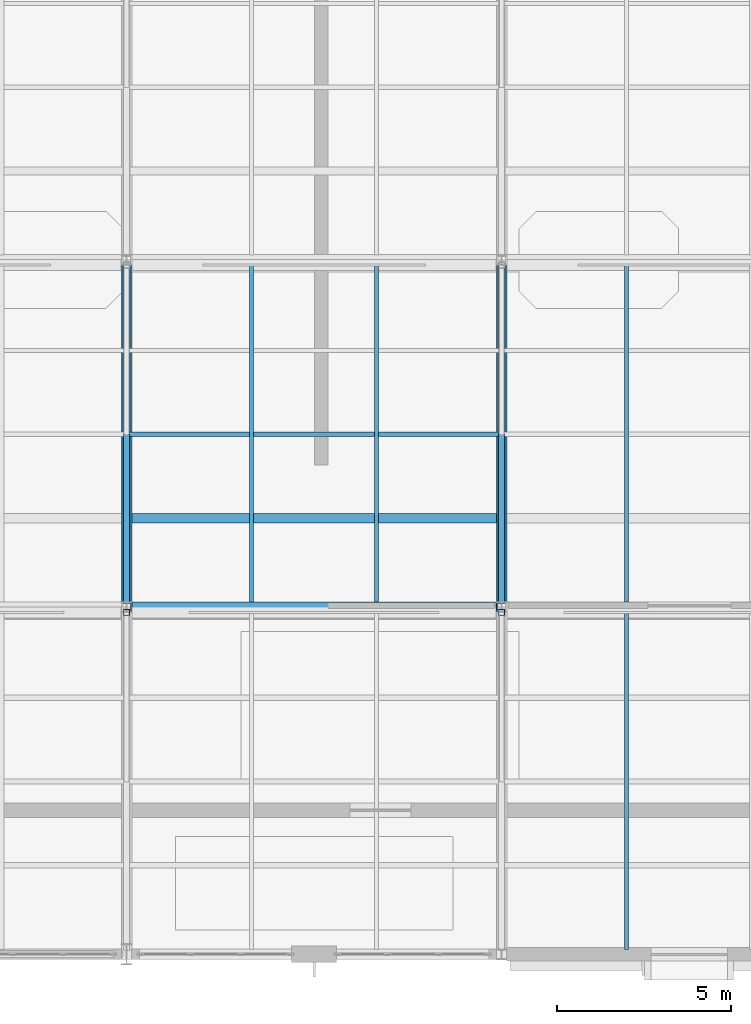
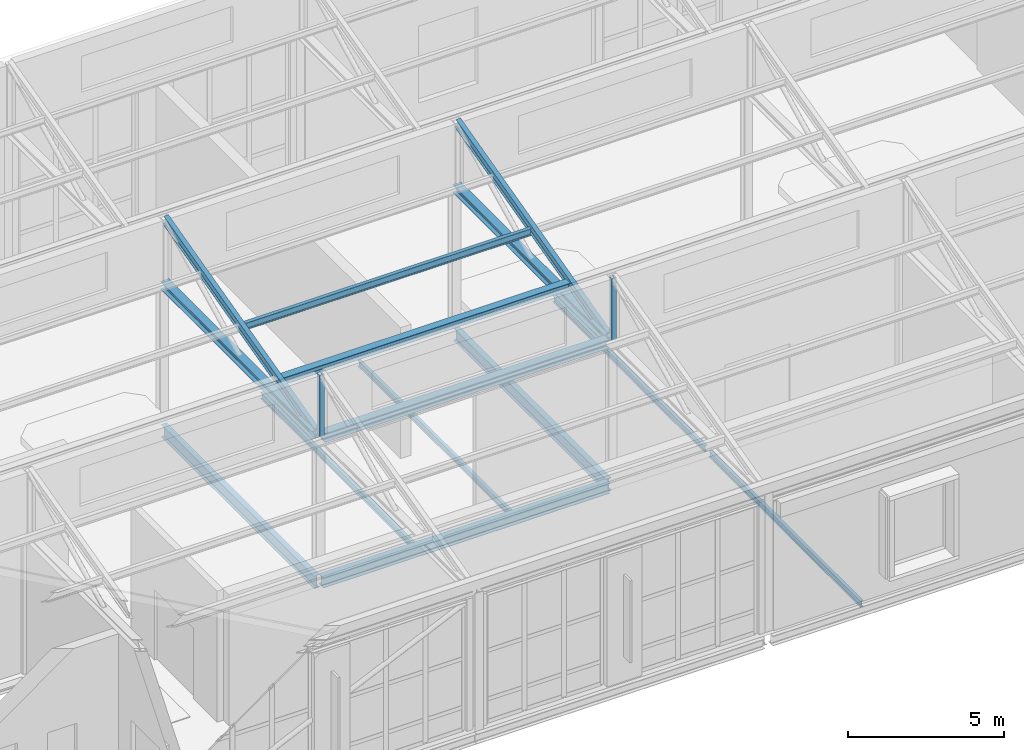
# One storey, part 16 of 49: 8 beams, 8 members.
"""IFC4 building model written with IfcOpenShell, lengths in metres."""

from ifc_helpers import new_model, si_unit, direction, frame, origin, origin_2d, place, context, subcontext, project, spatial, hollow_rectangle, i_section, extrude, material, material_profile, profile_set, type_object, element, save


model = new_model("IFC4")

# Units and contexts
model_context = context("Model", 3, precision=1e-05, world=origin(), true_north=direction((0.0, 1.0)))
body_context = subcontext(model_context, "Body", "Model", "MODEL_VIEW")
ifc_project = project(units=[si_unit("LENGTHUNIT", "METRE"), si_unit("AREAUNIT", "SQUARE_METRE"), si_unit("VOLUMEUNIT", "CUBIC_METRE"), si_unit("PLANEANGLEUNIT", "RADIAN"), si_unit("MASSUNIT", "GRAM", prefix="KILO")], contexts=[model_context])

# Site, building, storey
site_placement = place(None, origin())
site = spatial("IfcSite", under=ifc_project, at=site_placement, CompositionType="ELEMENT")
building_placement = place(site_placement, origin())
building = spatial("IfcBuilding", under=site, at=building_placement, Name="Tasgan Crest Museum", CompositionType="ELEMENT")
storey_placement = place(building_placement, frame((0.0, 0.0, 28.800048828125)))
storey = spatial("IfcBuildingStorey", under=building, at=storey_placement, Name="L05", CompositionType="ELEMENT", Elevation=28.800048828125)

# Beams
ifc_material_1 = material(Name="Steel S355J2", Category="steel")
ifc_material_profile_1 = material_profile(ifc_material_1, i_section(OverallWidth=0.300048828125, OverallDepth=0.35009765625, WebThickness=0.009521484375, FlangeThickness=0.017578125, FilletRadius=0.027099609375, at=origin_2d()), Name="HEA 360")
ifc_profile_set_1 = profile_set([ifc_material_profile_1], Name="Steel S355J2")
beam_type_1 = type_object("IfcBeamType", Name="BM-G-HEA360", PredefinedType="BEAM", material=ifc_profile_set_1)
beam_1_placement = place(storey_placement, frame((32.550048828125, 92.0, 5.219970703125), z_axis=(1.0, 0.0, 0.0), x_axis=(0.0, 1.0, 0.0)))
element("IfcBeam", 1, at=beam_1_placement, inside=storey, type_object=beam_type_1, Name="Sawtooth valley girder B2 32.4-43.2", PredefinedType="BEAM", context=body_context, shape_type="SweptSolid", body=[
    extrude(i_section(OverallWidth=0.300048828125, OverallDepth=0.35009765625, WebThickness=0.009521484375, FlangeThickness=0.017578125, FilletRadius=0.027099609375, at=origin_2d()), origin(), (0.0, 0.0, 1.0), 10.5),
])
ifc_material_2 = material(Name="Steel S355J2", Category="steel")
ifc_material_profile_2 = material_profile(ifc_material_2, i_section(OverallWidth=0.300048828125, OverallDepth=0.389892578125, WebThickness=0.010986328125, FlangeThickness=0.01904296875, FilletRadius=0.027099609375, at=origin_2d()), Name="HEA 400")
ifc_profile_set_2 = profile_set([ifc_material_profile_2], Name="Steel S355J2")
beam_type_2 = type_object("IfcBeamType", Name="BM-G-HEA400", PredefinedType="BEAM", material=ifc_profile_set_2)
beam_2_placement = place(storey_placement, frame((32.506103515625, 92.0, -0.43505859375), z_axis=(1.0, 0.0, 0.0), x_axis=(0.0, 1.0, 0.0)))
element("IfcBeam", 2, at=beam_2_placement, inside=storey, type_object=beam_type_2, Name="Girder L05 K 32.4-43.2", PredefinedType="BEAM", context=body_context, shape_type="SweptSolid", body=[
    extrude(i_section(OverallWidth=0.300048828125, OverallDepth=0.389892578125, WebThickness=0.010986328125, FlangeThickness=0.01904296875, FilletRadius=0.027099609375, at=origin_2d()), origin(), (0.0, 0.0, 1.0), 10.587890625),
])
ifc_material_3 = material(Name="Steel S355J2", Category="steel")
ifc_material_profile_3 = material_profile(ifc_material_3, i_section(OverallWidth=0.199951171875, OverallDepth=0.5, WebThickness=0.01025390625, FlangeThickness=0.01611328125, FilletRadius=0.02099609375, at=origin_2d()), Name="IPE 500")
ifc_profile_set_3 = profile_set([ifc_material_profile_3], Name="Steel S355J2")
beam_type_3 = type_object("IfcBeamType", Name="BM-G-IPE500", PredefinedType="BEAM", material=ifc_profile_set_3)
for number, where, z_axis, x_axis, name in (
    (3, (32.39990234375, 92.10498046875, -0.489990234375), (0.0, 1.0, 0.0), (-1.0, 0.0, 0.0), "Beam L05 4 92.0-102.0"),
    (4, (43.199951171875, 92.10498046875, -0.489990234375), (0.0, 1.0, 0.0), (-1.0, 0.0, 0.0), "Beam L05 5 92.0-102.0"),
):
    element("IfcBeam", number, at=place(storey_placement, frame(where, z_axis=z_axis, x_axis=x_axis)), inside=storey, type_object=beam_type_3, Name=name, PredefinedType="BEAM", context=body_context, shape_type="SweptSolid", body=[
        extrude(i_section(OverallWidth=0.199951171875, OverallDepth=0.5, WebThickness=0.01025390625, FlangeThickness=0.01611328125, FilletRadius=0.02099609375, at=origin_2d()), origin(), (0.0, 0.0, 1.0), 9.7900390625),
    ])
ifc_material_4 = material(Name="Steel S355J2", Category="steel")
ifc_material_profile_4 = material_profile(ifc_material_4, i_section(OverallWidth=0.1201171875, OverallDepth=0.239990234375, WebThickness=0.006103515625, FlangeThickness=0.009765625, FilletRadius=0.014892578125, at=origin_2d()), Name="IPE 240")
ifc_profile_set_4 = profile_set([ifc_material_profile_4], Name="Steel S355J2")
beam_type_4 = type_object("IfcBeamType", Name="BM-J-IPE240", PredefinedType="JOIST", material=ifc_profile_set_4)
for number, where, z_axis, x_axis, name in (
    (5, (36.0, 92.14501953125, -0.360107421875), (0.0, 1.0, 0.0), (-1.0, 0.0, 0.0), "Secondary joist L05 X=36.0 Y=92.0-102.0"),
    (6, (39.60009765625, 92.14501953125, -0.360107421875), (0.0, 1.0, 0.0), (-1.0, 0.0, 0.0), "Secondary joist L05 X=39.6 Y=92.0-102.0"),
    (7, (46.800048828125, 82.14501953125, -0.360107421875), (0.0, 1.0, 0.0), (-1.0, 0.0, 0.0), "Secondary joist L05 X=46.8 Y=82.0-92.0"),
    (8, (46.800048828125, 92.14501953125, -0.360107421875), (0.0, 1.0, 0.0), (-1.0, 0.0, 0.0), "Secondary joist L05 X=46.8 Y=92.0-102.0"),
):
    element("IfcBeam", number, at=place(storey_placement, frame(where, z_axis=z_axis, x_axis=x_axis)), inside=storey, type_object=beam_type_4, Name=name, PredefinedType="JOIST", context=body_context, shape_type="SweptSolid", body=[
        extrude(i_section(OverallWidth=0.1201171875, OverallDepth=0.239990234375, WebThickness=0.006103515625, FlangeThickness=0.009765625, FilletRadius=0.014892578125, at=origin_2d()), origin(), (0.0, 0.0, 1.0), 9.7099609375),
    ])

# Members
ifc_material_5 = material(Name="Steel S355J2", Category="steel")
ifc_material_profile_5 = material_profile(ifc_material_5, i_section(OverallWidth=0.280029296875, OverallDepth=0.27001953125, WebThickness=0.008056640625, FlangeThickness=0.012939453125, FilletRadius=0.02392578125, at=origin_2d()), Name="HEA 280")
ifc_profile_set_5 = profile_set([ifc_material_profile_5], Name="Steel S355J2")
member_type_1 = type_object("IfcMemberType", Name="MEM-PUR-HEA280", PredefinedType="PURLIN", material=ifc_profile_set_5)
member_1_placement = place(storey_placement, frame((32.485107421875, 94.5625, 5.889892578125), z_axis=(1.0, 0.0, 0.0), x_axis=(0.0, 1.0, 0.0)))
element("IfcMember", 9, at=member_1_placement, inside=storey, type_object=member_type_1, Name="Sawtooth roof purlin B2 32.4-43.2 P1", PredefinedType="PURLIN", context=body_context, shape_type="SweptSolid", body=[
    extrude(i_section(OverallWidth=0.280029296875, OverallDepth=0.27001953125, WebThickness=0.008056640625, FlangeThickness=0.012939453125, FilletRadius=0.02392578125, at=origin_2d()), origin(), (0.0, 0.0, 1.0), 10.6298828125),
])
ifc_material_6 = material(Name="Steel S355J2", Category="steel")
ifc_material_profile_6 = material_profile(ifc_material_6, i_section(OverallWidth=0.135009765625, OverallDepth=0.27001953125, WebThickness=0.006591796875, FlangeThickness=0.01025390625, FilletRadius=0.014892578125, at=origin_2d()), Name="IPE 270")
ifc_profile_set_6 = profile_set([ifc_material_profile_6], Name="Steel S355J2")
member_type_2 = type_object("IfcMemberType", Name="MEM-PURLIN-270", PredefinedType="PURLIN", material=ifc_profile_set_6)
member_2_placement = place(storey_placement, frame((32.485107421875, 96.97509765625, 6.510009765625), z_axis=(1.0, 0.0, 0.0), x_axis=(0.0, 1.0, 0.0)))
element("IfcMember", 10, at=member_2_placement, inside=storey, type_object=member_type_2, Name="Sawtooth roof purlin B2 32.4-43.2 P2", PredefinedType="PURLIN", context=body_context, shape_type="SweptSolid", body=[
    extrude(i_section(OverallWidth=0.135009765625, OverallDepth=0.27001953125, WebThickness=0.006591796875, FlangeThickness=0.01025390625, FilletRadius=0.014892578125, at=origin_2d()), origin(), (0.0, 0.0, 1.0), 10.6298828125),
])
ifc_material_7 = material(Name="Steel S355K2", Category="steel")
ifc_material_profile_7 = material_profile(ifc_material_7, i_section(OverallWidth=0.300048828125, OverallDepth=0.31005859375, WebThickness=0.009033203125, FlangeThickness=0.015380859375, FilletRadius=0.027099609375, at=origin_2d()), Name="HEA 320")
ifc_profile_set_7 = profile_set([ifc_material_profile_7], Name="Steel S355K2")
member_type_3 = type_object("IfcMemberType", Name="TR-SAW-CHORD", PredefinedType="CHORD", material=ifc_profile_set_7)
for number, where, z_axis, x_axis, name in (
    (11, (32.39990234375, 92.14990234375, 5.239990234375), (0.0, 1.0, 0.0), (-1.0, 0.0, 0.0), "Roof truss bottom chord B2 4"),
    (12, (43.199951171875, 92.14990234375, 5.239990234375), (0.0, 1.0, 0.0), (-1.0, 0.0, 0.0), "Roof truss bottom chord B2 5"),
):
    element("IfcMember", number, at=place(storey_placement, frame(where, z_axis=z_axis, x_axis=x_axis)), inside=storey, type_object=member_type_3, Name=name, PredefinedType="CHORD", context=body_context, shape_type="SweptSolid", body=[
        extrude(i_section(OverallWidth=0.300048828125, OverallDepth=0.31005859375, WebThickness=0.009033203125, FlangeThickness=0.015380859375, FilletRadius=0.027099609375, at=origin_2d()), origin(), (0.0, 0.0, 1.0), 9.7001953125),
    ])
ifc_material_8 = material(Name="Steel S355K2", Category="steel")
ifc_material_profile_8 = material_profile(ifc_material_8, hollow_rectangle(XDim=0.179931640625, YDim=0.179931640625, WallThickness=0.010009765625, InnerFilletRadius=0.010009765625, OuterFilletRadius=0.02001953125, at=origin_2d()), Name="SHS 180x180x10")
ifc_profile_set_8 = profile_set([ifc_material_profile_8], Name="Steel S355K2")
member_type_4 = type_object("IfcMemberType", Name="TR-SAW-POST", PredefinedType="POST", material=ifc_profile_set_8)
for number, where, z_axis, x_axis, name in (
    (13, (32.39990234375, 91.85009765625, 5.389892578125), (0.0, 0.0, 1.0), (1.0, 0.0, 0.0), "Roof truss north post B1 4"),
    (14, (43.199951171875, 91.85009765625, 5.389892578125), (0.0, 0.0, 1.0), (1.0, 0.0, 0.0), "Roof truss north post B1 5"),
):
    element("IfcMember", number, at=place(storey_placement, frame(where, z_axis=z_axis, x_axis=x_axis)), inside=storey, type_object=member_type_4, Name=name, PredefinedType="POST", context=body_context, shape_type="SweptSolid", body=[
        extrude(hollow_rectangle(XDim=0.179931640625, YDim=0.179931640625, WallThickness=0.010009765625, InnerFilletRadius=0.010009765625, OuterFilletRadius=0.02001953125, at=origin_2d()), origin(), (0.0, 0.0, 1.0), 2.41015625),
    ])
ifc_material_9 = material(Name="Steel S355K2", Category="steel")
ifc_material_profile_9 = material_profile(ifc_material_9, i_section(OverallWidth=0.169921875, OverallDepth=0.360107421875, WebThickness=0.008056640625, FlangeThickness=0.0126953125, FilletRadius=0.01806640625, at=origin_2d()), Name="IPE 360")
ifc_profile_set_9 = profile_set([ifc_material_profile_9], Name="Steel S355K2")
member_type_5 = type_object("IfcMemberType", Name="TR-SAW-RAFTER", PredefinedType="RAFTER", material=ifc_profile_set_9)
for number, where, z_axis, x_axis, name in (
    (15, (32.39990234375, 92.14990234375, 5.320068359375), (0.0, 0.968528888954, 0.248901167657), (-1.0, 0.0, 0.0), "Roof truss rafter B2 4"),
    (16, (43.199951171875, 92.14990234375, 5.320068359375), (0.0, 0.968528888954, 0.248901167657), (-1.0, 0.0, 0.0), "Roof truss rafter B2 5"),
):
    element("IfcMember", number, at=place(storey_placement, frame(where, z_axis=z_axis, x_axis=x_axis)), inside=storey, type_object=member_type_5, Name=name, PredefinedType="RAFTER", context=body_context, shape_type="SweptSolid", body=[
        extrude(i_section(OverallWidth=0.169921875, OverallDepth=0.360107421875, WebThickness=0.008056640625, FlangeThickness=0.0126953125, FilletRadius=0.01806640625, at=origin_2d()), origin(), (0.0, 0.0, 1.0), 9.963623046875),
    ])

save(model, "model.ifc")
